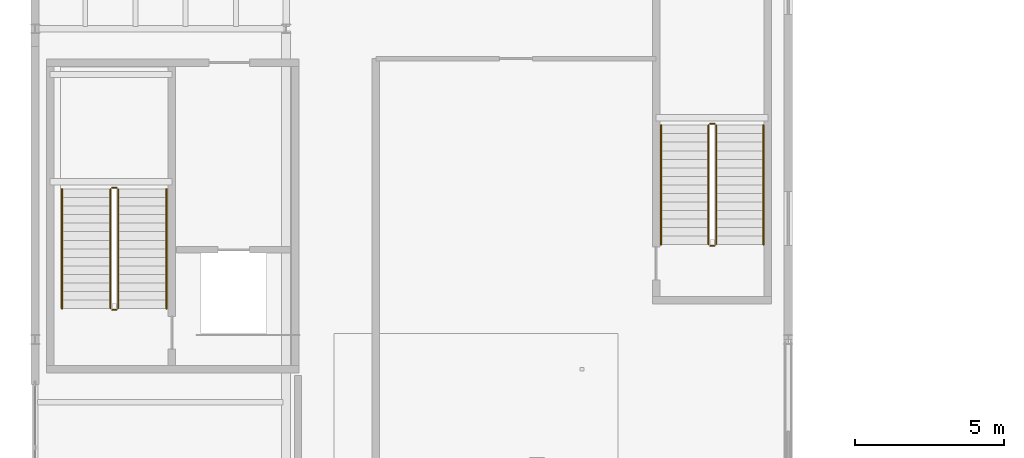
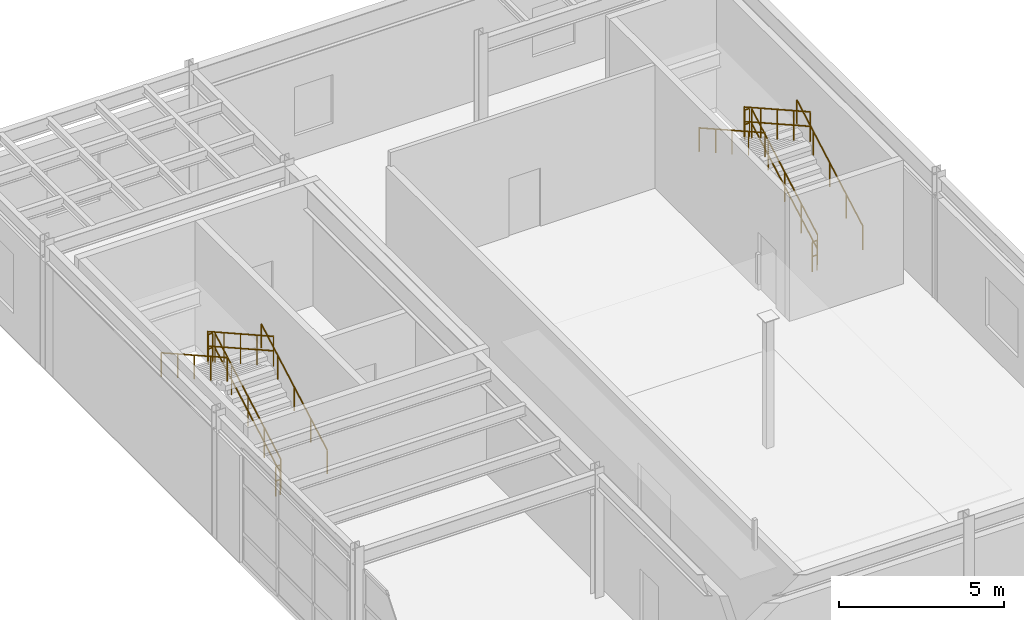
# One storey, part 114 of 116: 12 railings.
"""IFC4 building model written with IfcOpenShell, lengths in metres."""

from ifc_helpers import new_model, si_unit, direction, frame, origin, origin_2d, place, context, subcontext, project, spatial, circle, extrude, material, layer, layer_set, type_object, element, save


model = new_model("IFC4")

# Units and contexts
model_context = context("Model", 3, precision=1e-05, world=origin(), true_north=direction((0.0, 1.0)))
body_context = subcontext(model_context, "Body", "Model", "MODEL_VIEW")
ifc_project = project(units=[si_unit("LENGTHUNIT", "METRE"), si_unit("AREAUNIT", "SQUARE_METRE"), si_unit("VOLUMEUNIT", "CUBIC_METRE"), si_unit("PLANEANGLEUNIT", "RADIAN"), si_unit("MASSUNIT", "GRAM", prefix="KILO")], contexts=[model_context])

# Site, building, storey
site_placement = place(None, origin())
site = spatial("IfcSite", under=ifc_project, at=site_placement, CompositionType="ELEMENT")
building_placement = place(site_placement, origin())
building = spatial("IfcBuilding", under=site, at=building_placement, Name="Selat Folded Stagehouse", CompositionType="ELEMENT")
storey_placement = place(building_placement, frame((0.0, 0.0, 5.39990234375)))
storey = spatial("IfcBuildingStorey", under=building, at=storey_placement, Name="L01", CompositionType="ELEMENT", Elevation=5.39990234375)

# Railings
ifc_material_1 = material(Name="Bronze-anodised steel balustrade", Category="steel")
ifc_layer_1 = layer(ifc_material_1, 0.06494140625)
ifc_layer_set_1 = layer_set([ifc_layer_1], Name="Bronze-anodised steel balustrade")
railing_type_1 = type_object("IfcRailingType", Name="RLG-BAL-1120", PredefinedType="BALUSTRADE", material=ifc_layer_set_1)
railing_1_placement = place(storey_placement, frame((2.780029296875, 71.840087890625, 0.16015625)))
element("IfcRailing", 1, at=railing_1_placement, inside=storey, type_object=railing_type_1, Name="L01 ST-05 stair well guard 1", PredefinedType="BALUSTRADE", context=body_context, shape_type="SweptSolid", body=[
    extrude(circle(Radius=0.02392578125, at=origin_2d()), frame((0.0, 0.0, 1.09619140625), z_axis=(0.0, 0.871984184956, 0.489534044972), x_axis=(-1.0, 0.0, 0.0)), (0.0, 0.0, 1.0), 4.57568359375),
    extrude(circle(Radius=0.02392578125, at=origin_2d()), frame((0.0, 0.0, 0.56005859375), z_axis=(0.0, 0.871984184956, 0.489534044972), x_axis=(-1.0, 0.0, 0.0)), (0.0, 0.0, 1.0), 4.57568359375),
    extrude(circle(Radius=0.02099609375, at=origin_2d()), origin(), (0.0, 0.0, 1.0), 1.072021484375),
    extrude(circle(Radius=0.02099609375, at=origin_2d()), frame((0.0, 0.99755859375, 0.56005859375)), (0.0, 0.0, 1.0), 1.072021484375),
    extrude(circle(Radius=0.02099609375, at=origin_2d()), frame((0.0, 1.9951171875, 1.1201171875)), (0.0, 0.0, 1.0), 1.072021484375),
    extrude(circle(Radius=0.02099609375, at=origin_2d()), frame((0.0, 2.992431640625, 1.679931640625)), (0.0, 0.0, 1.0), 1.072021484375),
    extrude(circle(Radius=0.02099609375, at=origin_2d()), frame((0.0, 3.989990234375, 2.239990234375)), (0.0, 0.0, 1.0), 1.072021484375),
])
railing_2_placement = place(storey_placement, frame((2.72998046875, 75.8798828125, 2.400146484375)))
element("IfcRailing", 2, at=railing_2_placement, inside=storey, type_object=railing_type_1, Name="L01 ST-05 stair well guard 2", PredefinedType="BALUSTRADE", context=body_context, shape_type="SweptSolid", body=[
    extrude(circle(Radius=0.02392578125, at=origin_2d()), frame((0.0, 0.0, 1.09619140625), z_axis=(-1.0, 0.0, 0.0), x_axis=(0.0, -1.0, 0.0)), (0.0, 0.0, 1.0), 0.159912109375),
    extrude(circle(Radius=0.02392578125, at=origin_2d()), frame((0.0, 0.0, 0.56005859375), z_axis=(-1.0, 0.0, 0.0), x_axis=(0.0, -1.0, 0.0)), (0.0, 0.0, 1.0), 0.159912109375),
    extrude(circle(Radius=0.02099609375, at=origin_2d()), origin(), (0.0, 0.0, 1.0), 1.072021484375),
    extrude(circle(Radius=0.02099609375, at=origin_2d()), frame((-0.159912109375, 0.0, 0.0)), (0.0, 0.0, 1.0), 1.072021484375),
])
railing_3_placement = place(storey_placement, frame((2.52001953125, 75.830078125, 2.56005859375)))
element("IfcRailing", 3, at=railing_3_placement, inside=storey, type_object=railing_type_1, Name="L01 ST-05 stair well guard 3", PredefinedType="BALUSTRADE", context=body_context, shape_type="SweptSolid", body=[
    extrude(circle(Radius=0.02392578125, at=origin_2d()), frame((0.0, 0.0, 1.09619140625), z_axis=(0.0, -0.871984184956, 0.489534044972), x_axis=(1.0, 0.0, 0.0)), (0.0, 0.0, 1.0), 4.57568359375),
    extrude(circle(Radius=0.02392578125, at=origin_2d()), frame((0.0, 0.0, 0.56005859375), z_axis=(0.0, -0.871984184956, 0.489534044972), x_axis=(1.0, 0.0, 0.0)), (0.0, 0.0, 1.0), 4.57568359375),
    extrude(circle(Radius=0.02099609375, at=origin_2d()), origin(), (0.0, 0.0, 1.0), 1.072021484375),
    extrude(circle(Radius=0.02099609375, at=origin_2d()), frame((0.0, -0.99755859375, 0.56005859375)), (0.0, 0.0, 1.0), 1.072021484375),
    extrude(circle(Radius=0.02099609375, at=origin_2d()), frame((0.0, -1.9951171875, 1.1201171875)), (0.0, 0.0, 1.0), 1.072021484375),
    extrude(circle(Radius=0.02099609375, at=origin_2d()), frame((0.0, -2.992431640625, 1.679931640625)), (0.0, 0.0, 1.0), 1.072021484375),
    extrude(circle(Radius=0.02099609375, at=origin_2d()), frame((0.0, -3.989990234375, 2.239990234375)), (0.0, 0.0, 1.0), 1.072021484375),
])
railing_4_placement = place(storey_placement, frame((2.72998046875, 71.7900390625, 0.0)))
element("IfcRailing", 4, at=railing_4_placement, inside=storey, type_object=railing_type_1, Name="L01 ST-05 stair well guard 4", PredefinedType="BALUSTRADE", context=body_context, shape_type="SweptSolid", body=[
    extrude(circle(Radius=0.02392578125, at=origin_2d()), frame((0.0, 0.0, 1.09619140625), z_axis=(-1.0, 0.0, 0.0), x_axis=(0.0, -1.0, 0.0)), (0.0, 0.0, 1.0), 0.159912109375),
    extrude(circle(Radius=0.02392578125, at=origin_2d()), frame((0.0, 0.0, 0.56005859375), z_axis=(-1.0, 0.0, 0.0), x_axis=(0.0, -1.0, 0.0)), (0.0, 0.0, 1.0), 0.159912109375),
    extrude(circle(Radius=0.02099609375, at=origin_2d()), origin(), (0.0, 0.0, 1.0), 1.072021484375),
    extrude(circle(Radius=0.02099609375, at=origin_2d()), frame((-0.159912109375, 0.0, 0.0)), (0.0, 0.0, 1.0), 1.072021484375),
])
railing_5_placement = place(storey_placement, frame((22.7900390625, 73.97998046875, 0.16015625)))
element("IfcRailing", 5, at=railing_5_placement, inside=storey, type_object=railing_type_1, Name="L01 ST-07 stair well guard 1", PredefinedType="BALUSTRADE", context=body_context, shape_type="SweptSolid", body=[
    extrude(circle(Radius=0.02392578125, at=origin_2d()), frame((0.0, 0.0, 1.09619140625), z_axis=(0.0, 0.871984184956, 0.489534044972), x_axis=(-1.0, 0.0, 0.0)), (0.0, 0.0, 1.0), 4.57568359375),
    extrude(circle(Radius=0.02392578125, at=origin_2d()), frame((0.0, 0.0, 0.56005859375), z_axis=(0.0, 0.871984184956, 0.489534044972), x_axis=(-1.0, 0.0, 0.0)), (0.0, 0.0, 1.0), 4.57568359375),
    extrude(circle(Radius=0.02099609375, at=origin_2d()), origin(), (0.0, 0.0, 1.0), 1.072021484375),
    extrude(circle(Radius=0.02099609375, at=origin_2d()), frame((0.0, 0.99755859375, 0.56005859375)), (0.0, 0.0, 1.0), 1.072021484375),
    extrude(circle(Radius=0.02099609375, at=origin_2d()), frame((0.0, 1.9951171875, 1.1201171875)), (0.0, 0.0, 1.0), 1.072021484375),
    extrude(circle(Radius=0.02099609375, at=origin_2d()), frame((0.0, 2.992431640625, 1.679931640625)), (0.0, 0.0, 1.0), 1.072021484375),
    extrude(circle(Radius=0.02099609375, at=origin_2d()), frame((0.0, 3.989990234375, 2.239990234375)), (0.0, 0.0, 1.0), 1.072021484375),
])
railing_6_placement = place(storey_placement, frame((22.739990234375, 78.02001953125, 2.400146484375)))
element("IfcRailing", 6, at=railing_6_placement, inside=storey, type_object=railing_type_1, Name="L01 ST-07 stair well guard 2", PredefinedType="BALUSTRADE", context=body_context, shape_type="SweptSolid", body=[
    extrude(circle(Radius=0.02392578125, at=origin_2d()), frame((0.0, 0.0, 1.09619140625), z_axis=(-1.0, 0.0, 0.0), x_axis=(0.0, -1.0, 0.0)), (0.0, 0.0, 1.0), 0.159912109375),
    extrude(circle(Radius=0.02392578125, at=origin_2d()), frame((0.0, 0.0, 0.56005859375), z_axis=(-1.0, 0.0, 0.0), x_axis=(0.0, -1.0, 0.0)), (0.0, 0.0, 1.0), 0.159912109375),
    extrude(circle(Radius=0.02099609375, at=origin_2d()), origin(), (0.0, 0.0, 1.0), 1.072021484375),
    extrude(circle(Radius=0.02099609375, at=origin_2d()), frame((-0.159912109375, 0.0, 0.0)), (0.0, 0.0, 1.0), 1.072021484375),
])
railing_7_placement = place(storey_placement, frame((22.530029296875, 77.969970703125, 2.56005859375)))
element("IfcRailing", 7, at=railing_7_placement, inside=storey, type_object=railing_type_1, Name="L01 ST-07 stair well guard 3", PredefinedType="BALUSTRADE", context=body_context, shape_type="SweptSolid", body=[
    extrude(circle(Radius=0.02392578125, at=origin_2d()), frame((0.0, 0.0, 1.09619140625), z_axis=(0.0, -0.871984184956, 0.489534044972), x_axis=(1.0, 0.0, 0.0)), (0.0, 0.0, 1.0), 4.57568359375),
    extrude(circle(Radius=0.02392578125, at=origin_2d()), frame((0.0, 0.0, 0.56005859375), z_axis=(0.0, -0.871984184956, 0.489534044972), x_axis=(1.0, 0.0, 0.0)), (0.0, 0.0, 1.0), 4.57568359375),
    extrude(circle(Radius=0.02099609375, at=origin_2d()), origin(), (0.0, 0.0, 1.0), 1.072021484375),
    extrude(circle(Radius=0.02099609375, at=origin_2d()), frame((0.0, -0.99755859375, 0.56005859375)), (0.0, 0.0, 1.0), 1.072021484375),
    extrude(circle(Radius=0.02099609375, at=origin_2d()), frame((0.0, -1.9951171875, 1.1201171875)), (0.0, 0.0, 1.0), 1.072021484375),
    extrude(circle(Radius=0.02099609375, at=origin_2d()), frame((0.0, -2.992431640625, 1.679931640625)), (0.0, 0.0, 1.0), 1.072021484375),
    extrude(circle(Radius=0.02099609375, at=origin_2d()), frame((0.0, -3.989990234375, 2.239990234375)), (0.0, 0.0, 1.0), 1.072021484375),
])
railing_8_placement = place(storey_placement, frame((22.739990234375, 73.929931640625, 0.0)))
element("IfcRailing", 8, at=railing_8_placement, inside=storey, type_object=railing_type_1, Name="L01 ST-07 stair well guard 4", PredefinedType="BALUSTRADE", context=body_context, shape_type="SweptSolid", body=[
    extrude(circle(Radius=0.02392578125, at=origin_2d()), frame((0.0, 0.0, 1.09619140625), z_axis=(-1.0, 0.0, 0.0), x_axis=(0.0, -1.0, 0.0)), (0.0, 0.0, 1.0), 0.159912109375),
    extrude(circle(Radius=0.02392578125, at=origin_2d()), frame((0.0, 0.0, 0.56005859375), z_axis=(-1.0, 0.0, 0.0), x_axis=(0.0, -1.0, 0.0)), (0.0, 0.0, 1.0), 0.159912109375),
    extrude(circle(Radius=0.02099609375, at=origin_2d()), origin(), (0.0, 0.0, 1.0), 1.072021484375),
    extrude(circle(Radius=0.02099609375, at=origin_2d()), frame((-0.159912109375, 0.0, 0.0)), (0.0, 0.0, 1.0), 1.072021484375),
])
ifc_material_2 = material(Name="Brushed stainless steel 1.4301", Category="steel")
ifc_layer_2 = layer(ifc_material_2, 0.048095703125)
ifc_layer_set_2 = layer_set([ifc_layer_2], Name="Brushed stainless steel 1.4301")
railing_type_2 = type_object("IfcRailingType", Name="RLG-HANDRAIL-900", PredefinedType="HANDRAIL", material=ifc_layer_set_2)
railing_9_placement = place(storey_placement, frame((4.39990234375, 71.840087890625, 0.16015625)))
element("IfcRailing", 9, at=railing_9_placement, inside=storey, type_object=railing_type_2, Name="L01 ST-05 wall handrail 1", PredefinedType="HANDRAIL", context=body_context, shape_type="SweptSolid", body=[
    extrude(circle(Radius=0.02392578125, at=origin_2d()), frame((0.0, 0.0, 0.8759765625), z_axis=(0.0, 0.871984184956, 0.489534044972), x_axis=(-1.0, 0.0, 0.0)), (0.0, 0.0, 1.0), 4.57568359375),
    extrude(circle(Radius=0.02099609375, at=origin_2d()), origin(), (0.0, 0.0, 1.0), 0.851806640625),
    extrude(circle(Radius=0.02099609375, at=origin_2d()), frame((0.0, 0.99755859375, 0.56005859375)), (0.0, 0.0, 1.0), 0.851806640625),
    extrude(circle(Radius=0.02099609375, at=origin_2d()), frame((0.0, 1.9951171875, 1.1201171875)), (0.0, 0.0, 1.0), 0.851806640625),
    extrude(circle(Radius=0.02099609375, at=origin_2d()), frame((0.0, 2.992431640625, 1.679931640625)), (0.0, 0.0, 1.0), 0.851806640625),
    extrude(circle(Radius=0.02099609375, at=origin_2d()), frame((0.0, 3.989990234375, 2.239990234375)), (0.0, 0.0, 1.0), 0.851806640625),
])
railing_10_placement = place(storey_placement, frame((0.89990234375, 75.830078125, 2.56005859375)))
element("IfcRailing", 10, at=railing_10_placement, inside=storey, type_object=railing_type_2, Name="L01 ST-05 wall handrail 2", PredefinedType="HANDRAIL", context=body_context, shape_type="SweptSolid", body=[
    extrude(circle(Radius=0.02392578125, at=origin_2d()), frame((0.0, 0.0, 0.8759765625), z_axis=(0.0, -0.871984184956, 0.489534044972), x_axis=(1.0, 0.0, 0.0)), (0.0, 0.0, 1.0), 4.57568359375),
    extrude(circle(Radius=0.02099609375, at=origin_2d()), origin(), (0.0, 0.0, 1.0), 0.851806640625),
    extrude(circle(Radius=0.02099609375, at=origin_2d()), frame((0.0, -0.99755859375, 0.56005859375)), (0.0, 0.0, 1.0), 0.851806640625),
    extrude(circle(Radius=0.02099609375, at=origin_2d()), frame((0.0, -1.9951171875, 1.1201171875)), (0.0, 0.0, 1.0), 0.851806640625),
    extrude(circle(Radius=0.02099609375, at=origin_2d()), frame((0.0, -2.992431640625, 1.679931640625)), (0.0, 0.0, 1.0), 0.851806640625),
    extrude(circle(Radius=0.02099609375, at=origin_2d()), frame((0.0, -3.989990234375, 2.239990234375)), (0.0, 0.0, 1.0), 0.851806640625),
])
railing_11_placement = place(storey_placement, frame((24.3701171875, 73.97998046875, 0.16015625)))
element("IfcRailing", 11, at=railing_11_placement, inside=storey, type_object=railing_type_2, Name="L01 ST-07 wall handrail 1", PredefinedType="HANDRAIL", context=body_context, shape_type="SweptSolid", body=[
    extrude(circle(Radius=0.02392578125, at=origin_2d()), frame((0.0, 0.0, 0.8759765625), z_axis=(0.0, 0.871984184956, 0.489534044972), x_axis=(-1.0, 0.0, 0.0)), (0.0, 0.0, 1.0), 4.57568359375),
    extrude(circle(Radius=0.02099609375, at=origin_2d()), origin(), (0.0, 0.0, 1.0), 0.851806640625),
    extrude(circle(Radius=0.02099609375, at=origin_2d()), frame((0.0, 0.99755859375, 0.56005859375)), (0.0, 0.0, 1.0), 0.851806640625),
    extrude(circle(Radius=0.02099609375, at=origin_2d()), frame((0.0, 1.9951171875, 1.1201171875)), (0.0, 0.0, 1.0), 0.851806640625),
    extrude(circle(Radius=0.02099609375, at=origin_2d()), frame((0.0, 2.992431640625, 1.679931640625)), (0.0, 0.0, 1.0), 0.851806640625),
    extrude(circle(Radius=0.02099609375, at=origin_2d()), frame((0.0, 3.989990234375, 2.239990234375)), (0.0, 0.0, 1.0), 0.851806640625),
])
railing_12_placement = place(storey_placement, frame((20.949951171875, 77.969970703125, 2.56005859375)))
element("IfcRailing", 12, at=railing_12_placement, inside=storey, type_object=railing_type_2, Name="L01 ST-07 wall handrail 2", PredefinedType="HANDRAIL", context=body_context, shape_type="SweptSolid", body=[
    extrude(circle(Radius=0.02392578125, at=origin_2d()), frame((0.0, 0.0, 0.8759765625), z_axis=(0.0, -0.871984184956, 0.489534044972), x_axis=(1.0, 0.0, 0.0)), (0.0, 0.0, 1.0), 4.57568359375),
    extrude(circle(Radius=0.02099609375, at=origin_2d()), origin(), (0.0, 0.0, 1.0), 0.851806640625),
    extrude(circle(Radius=0.02099609375, at=origin_2d()), frame((0.0, -0.99755859375, 0.56005859375)), (0.0, 0.0, 1.0), 0.851806640625),
    extrude(circle(Radius=0.02099609375, at=origin_2d()), frame((0.0, -1.9951171875, 1.1201171875)), (0.0, 0.0, 1.0), 0.851806640625),
    extrude(circle(Radius=0.02099609375, at=origin_2d()), frame((0.0, -2.992431640625, 1.679931640625)), (0.0, 0.0, 1.0), 0.851806640625),
    extrude(circle(Radius=0.02099609375, at=origin_2d()), frame((0.0, -3.989990234375, 2.239990234375)), (0.0, 0.0, 1.0), 0.851806640625),
])

save(model, "model.ifc")
